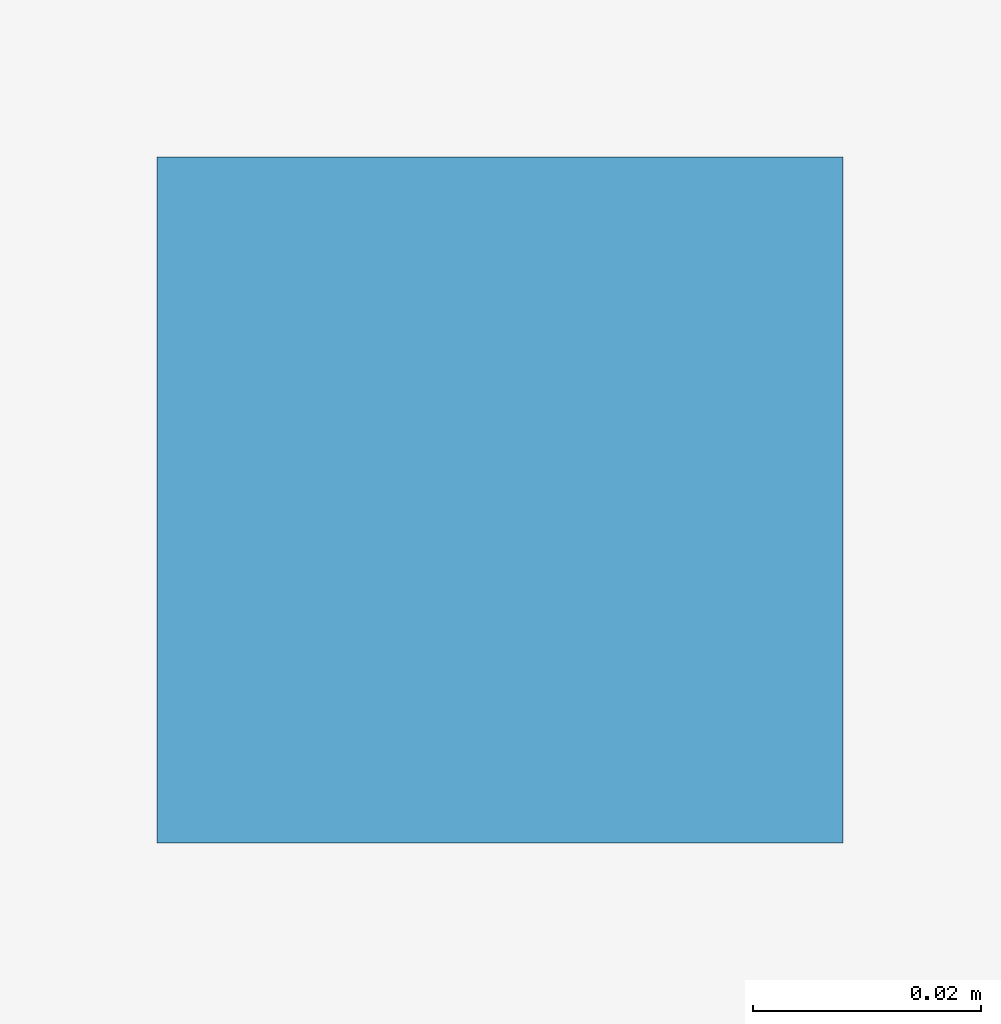
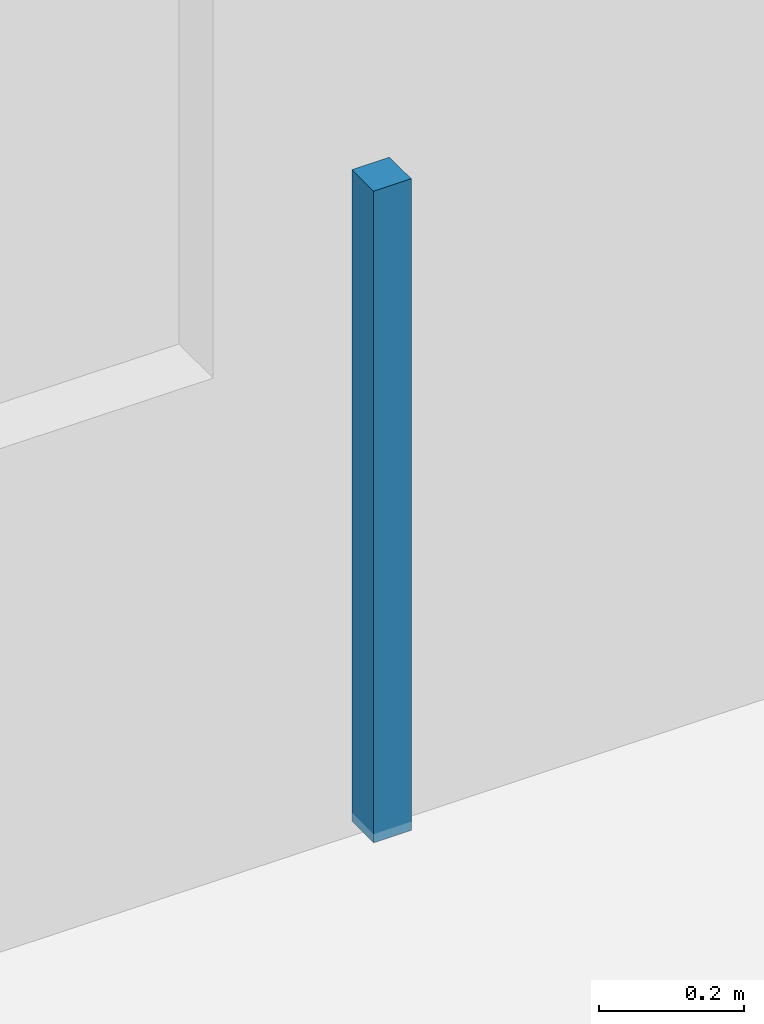
# One storey, part 64 of 77: 1 discrete accessory.
"""IFC4 building model written with IfcOpenShell, lengths in metres."""

import ifcopenshell
import ifcopenshell.guid

model = None  # the IFC model being written
_history = None  # IfcOwnerHistory: only IFC2X3 demands one
_inside = {}  # id of a spatial element -> (the spatial element, [elements in it])
_under = {}  # id of a project, library or spatial element -> (it, [spatial elements below it])
_declared = {}  # id of a project -> (the project, [libraries it declares])
_typed = {}  # id of a type object -> (the type object, [elements of that type])
_made_of = {}  # id of a material, layer set ... -> (it, [elements and type objects made of it])


def new_model(schema):
    """Start an empty IFC model of exactly this schema.

    Asked for "IFC4X3", IfcOpenShell would pick the latest addendum, in which some entities
    have other attributes; the version numbers below select the first issue.
    IFC2X3 requires an IfcOwnerHistory on every rooted entity: one is made here for all.
    """
    global model, _history
    if schema == "IFC4X3":
        model = ifcopenshell.file(schema_version=(4, 3, 0, 0))
    else:
        model = ifcopenshell.file(schema=schema)
    _inside.clear()
    _under.clear()
    _declared.clear()
    _typed.clear()
    _made_of.clear()
    _history = None
    if model.schema == "IFC2X3":
        org = make("IfcOrganization", Name="unknown")
        user = make(
            "IfcPersonAndOrganization",
            ThePerson=make("IfcPerson", FamilyName="unknown"),
            TheOrganization=org,
        )
        app = make(
            "IfcApplication",
            ApplicationDeveloper=org,
            Version="unknown",
            ApplicationFullName="unknown",
            ApplicationIdentifier="unknown",
        )
        _history = make(
            "IfcOwnerHistory",
            OwningUser=user,
            OwningApplication=app,
            ChangeAction="ADDED",
            CreationDate=0,
        )
    return model


def make(cls, **values):
    """One entity of the class cls with the attributes given. An attribute that is None is left unset."""
    return model.create_entity(
        cls, **{name: value for name, value in values.items() if value is not None}
    )


def rooted(cls, **values):
    """An entity with a GlobalId (a new one), such as an element, a storey or a relation."""
    return make(cls, GlobalId=ifcopenshell.guid.new(), OwnerHistory=_history, **values)


def si_unit(unit_type, name, prefix=None):
    """IfcSIUnit, for example si_unit("LENGTHUNIT", "METRE", prefix="MILLI")."""
    return make("IfcSIUnit", UnitType=unit_type, Prefix=prefix, Name=name)


def assignment(units):
    """IfcUnitAssignment: the units of a project."""
    return None if units is None else make("IfcUnitAssignment", Units=units)


def point(xyz):
    """IfcCartesianPoint."""
    return None if xyz is None else make("IfcCartesianPoint", Coordinates=xyz)


def direction(xyz):
    """IfcDirection."""
    return None if xyz is None else make("IfcDirection", DirectionRatios=xyz)


def frame(location, z_axis=None, x_axis=None):
    """IfcAxis2Placement3D, a coordinate frame: its origin and axes. An axis left out is left unset."""
    return make(
        "IfcAxis2Placement3D",
        Location=point(location),
        Axis=direction(z_axis),
        RefDirection=direction(x_axis),
    )


def frame_2d(location, x_axis=None):
    """IfcAxis2Placement2D, a coordinate frame in the plane: its origin and x axis."""
    return make(
        "IfcAxis2Placement2D", Location=point(location), RefDirection=direction(x_axis)
    )


def origin():
    """The frame at (0, 0, 0) with its axes left unset."""
    return frame((0.0, 0.0, 0.0))


def origin_2d():
    """The frame at (0, 0) in the plane with its x axis left unset."""
    return frame_2d((0.0, 0.0))


def place(relative_to, where):
    """IfcLocalPlacement: puts the frame where relative to a parent placement (None: the world)."""
    return make(
        "IfcLocalPlacement", PlacementRelTo=relative_to, RelativePlacement=where
    )


def context(
    kind, dimensions, precision=None, world=None, true_north=None, identifier=None
):
    """IfcGeometricRepresentationContext, for example the 3D "Model" context."""
    return make(
        "IfcGeometricRepresentationContext",
        ContextIdentifier=identifier,
        ContextType=kind,
        CoordinateSpaceDimension=dimensions,
        Precision=precision,
        WorldCoordinateSystem=world,
        TrueNorth=true_north,
    )


def subcontext(parent, identifier, kind, view, scale=None):
    """IfcGeometricRepresentationSubContext, for example "Body" below "Model"."""
    return make(
        "IfcGeometricRepresentationSubContext",
        ContextIdentifier=identifier,
        ContextType=kind,
        ParentContext=parent,
        TargetScale=scale,
        TargetView=view,
    )


def project(units=None, contexts=None):
    """IfcProject with its units and contexts."""
    return rooted(
        "IfcProject",
        Name="project",
        RepresentationContexts=contexts,
        UnitsInContext=assignment(units),
    )


def spatial(cls, under=None, at=None, **own):
    """A site, building, storey or space (cls), placed at a placement, below another one or the project."""
    s = rooted(cls, ObjectPlacement=at, **own)
    if under is not None:
        _under.setdefault(under.id(), (under, []))[1].append(s)
    return s


def profile(cls, at=None, kind="AREA", **sizes):
    """A parametric profile (cls). Its sizes go by their IFC names, for example OverallWidth=200.0."""
    return make(cls, ProfileType=kind, Position=at, **sizes)


def rectangle(**sizes):
    """IfcRectangleProfileDef."""
    return profile("IfcRectangleProfileDef", **sizes)


def extrude(swept, where, along, depth):
    """IfcExtrudedAreaSolid: the profile swept, set in the frame where, extruded along a direction by depth."""
    return make(
        "IfcExtrudedAreaSolid",
        SweptArea=swept,
        Position=where,
        ExtrudedDirection=direction(along),
        Depth=depth,
    )


def shape(context_of_items, identifier, shape_type, items):
    """IfcShapeRepresentation: the items that make up one representation, for example the "Body"."""
    return make(
        "IfcShapeRepresentation",
        ContextOfItems=context_of_items,
        RepresentationIdentifier=identifier,
        RepresentationType=shape_type,
        Items=items,
    )


def material(Name=None, Category=None):
    """IfcMaterial."""
    return make("IfcMaterial", Name=Name, Category=Category)


def made_of(thing, what):
    """Note that an element or type object is made of a material, layer set ...; save() writes the relation."""
    if what is not None:
        _made_of.setdefault(what.id(), (what, []))[1].append(thing)
    return thing


def type_object(cls, material=None, **own):
    """A type object (cls), such as IfcWallType, which elements share."""
    return made_of(rooted(cls, **own), material)


def element(
    cls,
    number,
    at=None,
    inside=None,
    cuts=None,
    type_object=None,
    material=None,
    context=None,
    identifier="Body",
    shape_type=None,
    held_by="IfcProductDefinitionShape",
    body=None,
    shapes=None,
    **own,
):
    """One element of the class cls, such as IfcWall. Its Tag is "e" and its number.

    at: its placement. inside: the storey or other place that contains it. cuts: it is an
    opening in that element (IfcRelVoidsElement). A single representation is given by context,
    identifier, shape_type and body (its items); several are given by shapes. held_by: the class
    of the entity that holds the representations. save() writes the other relations.
    """
    e = rooted(cls, Tag="e%d" % number, ObjectPlacement=at, **own)
    if body is not None:
        shapes = [shape(context, identifier, shape_type, body)]
    if shapes is not None:
        e.Representation = make(held_by, Representations=shapes)
    if inside is not None:
        _inside.setdefault(inside.id(), (inside, []))[1].append(e)
    if cuts is not None:
        rooted(
            "IfcRelVoidsElement", RelatingBuildingElement=cuts, RelatedOpeningElement=e
        )
    if type_object is not None:
        _typed.setdefault(type_object.id(), (type_object, []))[1].append(e)
    return made_of(e, material)


def aggregate(whole, parts):
    """IfcRelAggregates: a whole, such as a stair, and the parts it consists of."""
    return rooted("IfcRelAggregates", RelatingObject=whole, RelatedObjects=parts)


def save(model, path):
    """Write the relations noted so far, then the file.

    IfcRelAggregates (storeys below a building ...), IfcRelContainedInSpatialStructure (elements
    in a storey), IfcRelDefinesByType, IfcRelAssociatesMaterial and IfcRelDeclares: one each for
    every whole, place, type object, material and project.
    """
    for whole, parts in _under.values():
        aggregate(whole, parts)
    for where, things in _inside.values():
        rooted(
            "IfcRelContainedInSpatialStructure",
            RelatedElements=things,
            RelatingStructure=where,
        )
    for kind, things in _typed.values():
        rooted("IfcRelDefinesByType", RelatedObjects=things, RelatingType=kind)
    for what, things in _made_of.values():
        rooted("IfcRelAssociatesMaterial", RelatedObjects=things, RelatingMaterial=what)
    for by, libraries in _declared.values():
        rooted("IfcRelDeclares", RelatingContext=by, RelatedDefinitions=libraries)
    model.write(path)


model = new_model("IFC4")

# Units and contexts
model_context = context("Model", 3, precision=1e-05, world=origin(), true_north=direction((0.0, 1.0)))
body_context = subcontext(model_context, "Body", "Model", "MODEL_VIEW")
ifc_project = project(units=[si_unit("LENGTHUNIT", "METRE"), si_unit("AREAUNIT", "SQUARE_METRE"), si_unit("VOLUMEUNIT", "CUBIC_METRE"), si_unit("PLANEANGLEUNIT", "RADIAN"), si_unit("MASSUNIT", "GRAM", prefix="KILO")], contexts=[model_context])

# Site, building, storey
site_placement = place(None, origin())
site = spatial("IfcSite", under=ifc_project, at=site_placement, CompositionType="ELEMENT")
building_placement = place(site_placement, origin())
building = spatial("IfcBuilding", under=site, at=building_placement, Name="Kangsadwip Square Police Headquarters", CompositionType="ELEMENT")
storey_placement = place(building_placement, frame((0.0, 0.0, 17.550048828125)))
storey = spatial("IfcBuildingStorey", under=building, at=storey_placement, Name="L04", CompositionType="ELEMENT", Elevation=17.550048828125)

# Discrete accessory
ifc_material = material(Name="Structural steel IS 2062 E350 (Grade 350, 350 MPa)", Category="steel")
discrete_accessory_type = type_object("IfcDiscreteAccessoryType", Name="VeilOutriggerBracket", PredefinedType="BRACKET", material=ifc_material)
discrete_accessory_placement = place(storey_placement, frame((118.85009765625, 32.39990234375, 2.809814453125), z_axis=(0.0, 0.0, 1.0), x_axis=(1.0, 0.0, 0.0)))
element("IfcDiscreteAccessory", 1, at=discrete_accessory_placement, inside=storey, type_object=discrete_accessory_type, Name="Ceiling Suspension Hanger L04-130", PredefinedType="BRACKET", context=body_context, shape_type="SweptSolid", body=[
    extrude(rectangle(XDim=0.06005859375, YDim=0.06005859375, at=origin_2d()), origin(), (0.0, 0.0, 1.0), 1.10009765625),
])

save(model, "model.ifc")
